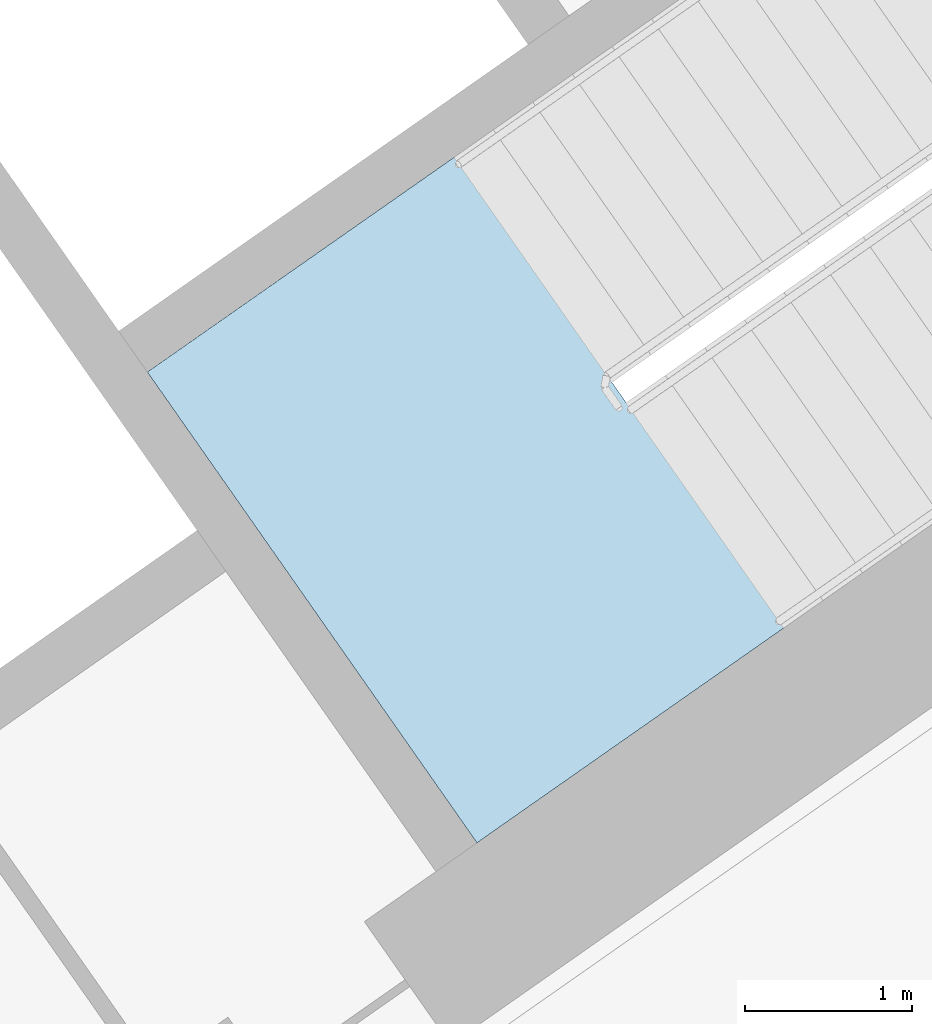
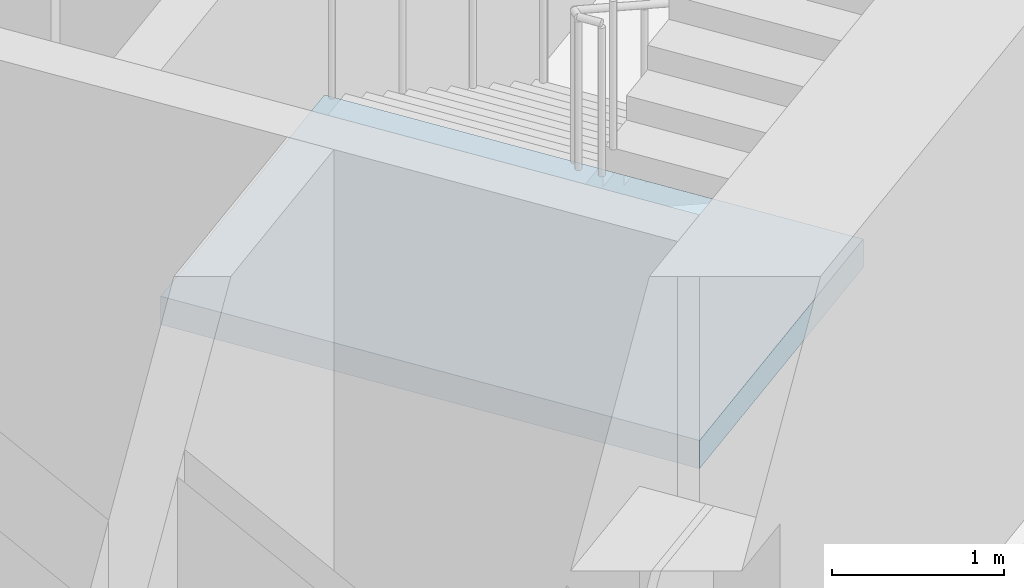
# One storey, part 2 of 33: 1 slab, 1 element without a shape of its own.
"""IFC4 building model written with IfcOpenShell, lengths in metres."""

from ifc_helpers import new_model, si_unit, direction, frame, origin, place, context, subcontext, project, spatial, polyline, outline, extrude, material, layer, layer_set, type_object, element, aggregate, save


model = new_model("IFC4")

# Units and contexts
model_context = context("Model", 3, precision=1e-05, world=origin(), true_north=direction((0.0, 1.0)))
body_context = subcontext(model_context, "Body", "Model", "MODEL_VIEW")
ifc_project = project(units=[si_unit("LENGTHUNIT", "METRE"), si_unit("AREAUNIT", "SQUARE_METRE"), si_unit("VOLUMEUNIT", "CUBIC_METRE"), si_unit("PLANEANGLEUNIT", "RADIAN"), si_unit("MASSUNIT", "GRAM", prefix="KILO")], contexts=[model_context])

# Site, building, storey
site_placement = place(None, origin())
site = spatial("IfcSite", under=ifc_project, at=site_placement, CompositionType="ELEMENT")
building_placement = place(site_placement, origin())
building = spatial("IfcBuilding", under=site, at=building_placement, Name="Qamariyya Broadcast Tower", CompositionType="ELEMENT")
storey_placement = place(building_placement, frame((0.0, 0.0, 94.89990234375)))
storey = spatial("IfcBuildingStorey", under=building, at=storey_placement, Name="L20", CompositionType="ELEMENT", Elevation=94.89990234375)

# Stair, slab
ifc_material = material(Name="Concrete C50/60", Category="concrete")
stair_type = type_object("IfcStairType", Name="Exit stair 22 risers of 173 mm", PredefinedType="HALF_TURN_STAIR", material=ifc_material)
stair_placement = place(storey_placement, origin())
stair = element("IfcStair", 1, at=stair_placement, inside=storey, type_object=stair_type, Name="L20 Stair E1", PredefinedType="HALF_TURN_STAIR")
ifc_layer = layer(ifc_material, 0.199951171875)
ifc_layer_set = layer_set([ifc_layer], Name="Stair landing")
slab_type = type_object("IfcSlabType", Name="Stair landing", PredefinedType="LANDING", material=ifc_layer_set)
slab_placement = place(storey_placement, frame((0.0, 0.0, 1.7001953125)))
slab = element("IfcSlab", 2, at=slab_placement, type_object=slab_type, Name="ST-E1 landing 1", PredefinedType="LANDING", context=body_context, shape_type="SweptSolid", body=[
    extrude(outline(polyline([(43.19091796875, -56.493408203125), (41.348388671875, -57.783447265625), (43.3271484375, -60.609619140625), (45.169677734375, -59.319580078125), (43.19091796875, -56.493408203125)])), origin(), (0.0, 0.0, 1.0), 0.199951171875),
])
aggregate(stair, [slab])

save(model, "model.ifc")
